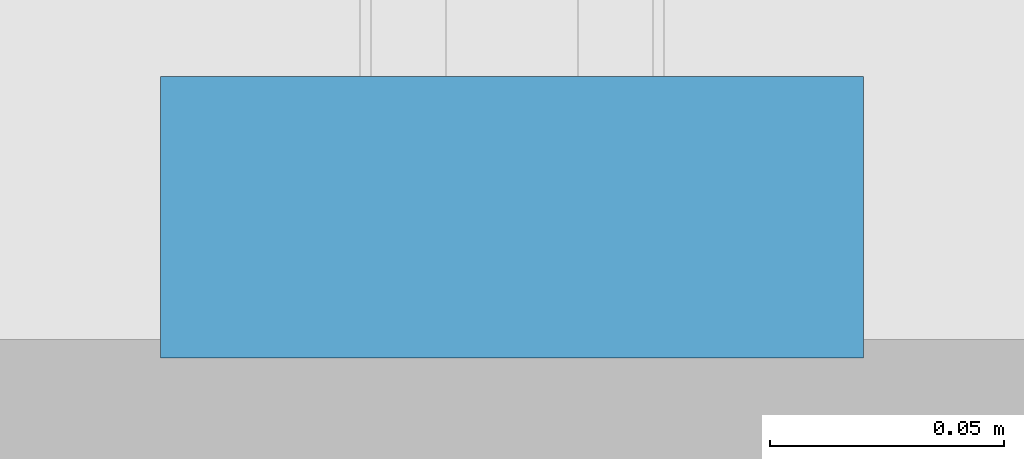
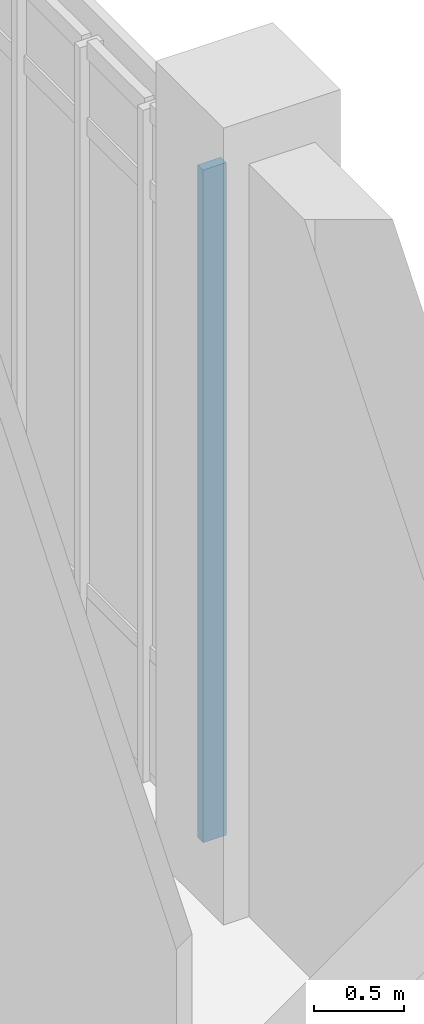
# One storey, part 14 of 135: 1 member, 1 element without a shape of its own.
"""IFC4 building model written with IfcOpenShell, lengths in metres."""

from ifc_helpers import new_model, si_unit, direction, frame, origin, origin_2d, place, context, subcontext, project, spatial, rectangle, extrude, material, material_profile, profile_set, type_object, element, aggregate, save


model = new_model("IFC4")

# Units and contexts
model_context = context("Model", 3, precision=1e-05, world=origin(), true_north=direction((0.0, 1.0)))
body_context = subcontext(model_context, "Body", "Model", "MODEL_VIEW")
ifc_project = project(units=[si_unit("LENGTHUNIT", "METRE"), si_unit("AREAUNIT", "SQUARE_METRE"), si_unit("VOLUMEUNIT", "CUBIC_METRE"), si_unit("PLANEANGLEUNIT", "RADIAN"), si_unit("MASSUNIT", "GRAM", prefix="KILO")], contexts=[model_context])

# Site, building, storey
site_placement = place(None, origin())
site = spatial("IfcSite", under=ifc_project, at=site_placement, CompositionType="ELEMENT")
building_placement = place(site_placement, origin())
building = spatial("IfcBuilding", under=site, at=building_placement, Name="Larkvane Passage Sports Hall", CompositionType="ELEMENT")
storey_placement = place(building_placement, frame((0.0, 0.0, 16.800048828125)))
storey = spatial("IfcBuildingStorey", under=building, at=storey_placement, Name="L03", CompositionType="ELEMENT", Elevation=16.800048828125)

# Curtain wall, member
ifc_material_1 = material(Name="Thermally broken aluminium and low-E glazing", Category="aluminium")
curtain_wall_type = type_object("IfcCurtainWallType", Name="CW-UNIT-COURT", PredefinedType="USERDEFINED", material=ifc_material_1)
curtain_wall_placement = place(storey_placement, origin())
curtain_wall = element("IfcCurtainWall", 1, at=curtain_wall_placement, inside=storey, type_object=curtain_wall_type, Name="Curtain wall CW5-L03-148", ObjectType="UNITISED CURTAIN WALL", PredefinedType="USERDEFINED")
ifc_material_2 = material(Name="Anodised aluminium 6063-T6", Category="aluminium")
ifc_material_profile = material_profile(ifc_material_2, rectangle(XDim=0.06005859375, YDim=0.14990234375, at=origin_2d()), Name="ALU-MUL-60x150")
ifc_profile_set = profile_set([ifc_material_profile], Name="Anodised aluminium 6063-T6")
member_type = type_object("IfcMemberType", Name="CW-MUL-60x150", PredefinedType="MULLION", material=ifc_profile_set)
member_placement = place(storey_placement, frame((93.60009765625, 31.60107421875, 0.0), z_axis=(0.0, 0.0, 1.0), x_axis=(0.0, -1.0, 0.0)))
member = element("IfcMember", 2, at=member_placement, type_object=member_type, Name="CW-01 mullion 12", PredefinedType="MULLION", context=body_context, shape_type="SweptSolid", body=[
    extrude(rectangle(XDim=0.06005859375, YDim=0.14990234375, at=origin_2d()), origin(), (0.0, 0.0, 1.0), 4.557861328125),
])
aggregate(curtain_wall, [member])

save(model, "model.ifc")
